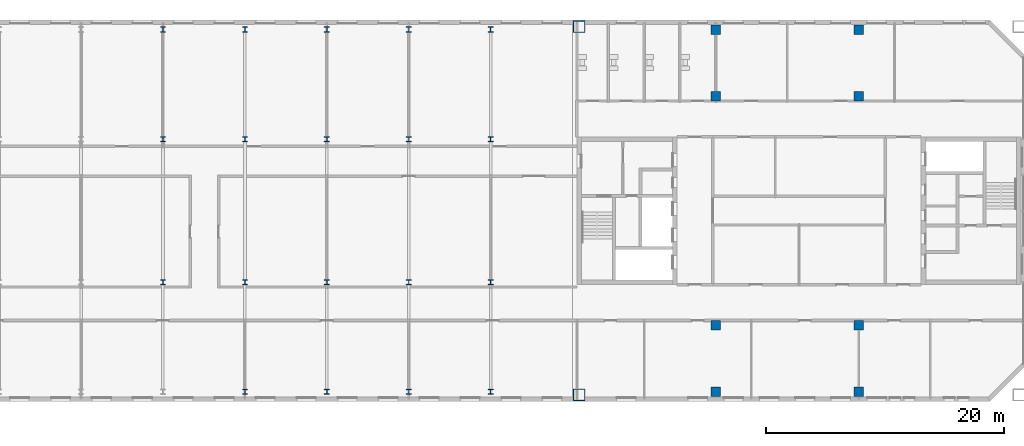
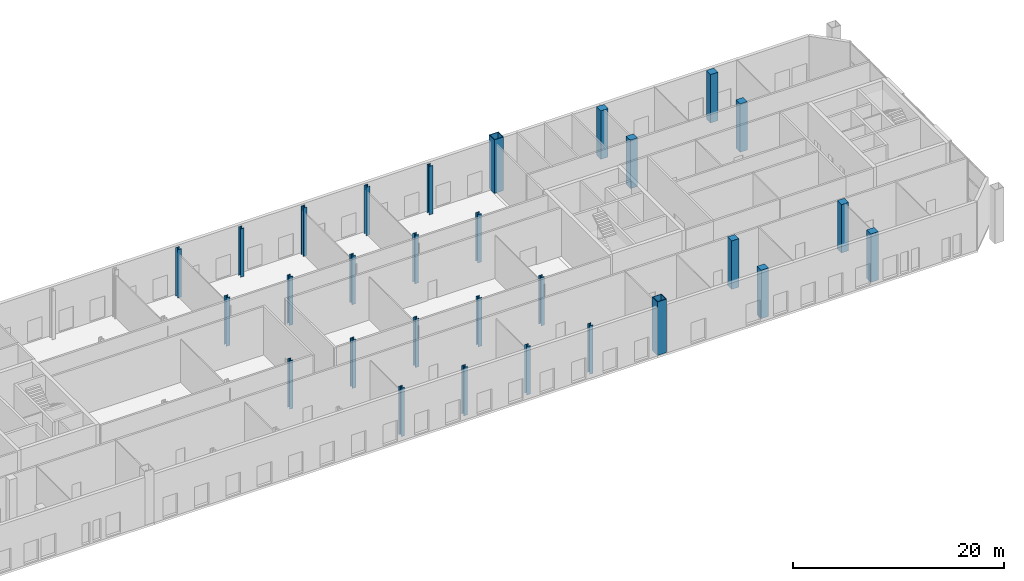
# One storey, part 2 of 20: 29 columns.
"""IFC4 building model written with IfcOpenShell, lengths in metres."""

from ifc_helpers import new_model, si_unit, direction, frame, origin, origin_2d, place, context, subcontext, project, spatial, rectangle, hollow_rectangle, i_section, extrude, material, material_profile, profile_set, type_object, element, save


model = new_model("IFC4")

# Units and contexts
model_context = context("Model", 3, precision=1e-05, world=origin(), true_north=direction((0.0, 1.0)))
body_context = subcontext(model_context, "Body", "Model", "MODEL_VIEW")
ifc_project = project(units=[si_unit("LENGTHUNIT", "METRE"), si_unit("AREAUNIT", "SQUARE_METRE"), si_unit("VOLUMEUNIT", "CUBIC_METRE"), si_unit("PLANEANGLEUNIT", "RADIAN"), si_unit("MASSUNIT", "GRAM", prefix="KILO")], contexts=[model_context])

# Site, building, storey
site_placement = place(None, origin())
site = spatial("IfcSite", under=ifc_project, at=site_placement, CompositionType="ELEMENT")
building_placement = place(site_placement, origin())
building = spatial("IfcBuilding", under=site, at=building_placement, Name="Tuart Gate Housing", CompositionType="ELEMENT")
storey_placement = place(building_placement, frame((0.0, 0.0, 215.199951171875)))
storey = spatial("IfcBuildingStorey", under=building, at=storey_placement, Name="L61", CompositionType="ELEMENT", Elevation=215.199951171875)

# Columns
ifc_material_1 = material(Name="Steel Grade 350", Category="steel")
ifc_material_profile_1 = material_profile(ifc_material_1, i_section(OverallWidth=0.39990234375, OverallDepth=0.429931640625, WebThickness=0.0400390625, FlangeThickness=0.0400390625, at=origin_2d()), Name="400WC361")
ifc_profile_set_1 = profile_set([ifc_material_profile_1], Name="Steel Grade 350")
column_type_1 = type_object("IfcColumnType", Name="Link column 400 WC361", PredefinedType="COLUMN", material=ifc_profile_set_1)
for number, where, z_axis, x_axis, name in (
    (1, (103.5, 54.800048828125, 0.0), (0.0, 0.0, 1.0), (1.0, 0.0, 0.0), "Link column line 1 point 4 L61"),
    (2, (110.375, 54.800048828125, 0.0), (0.0, 0.0, 1.0), (1.0, 0.0, 0.0), "Link column line 1 point 5 L61"),
    (3, (117.25, 54.800048828125, 0.0), (0.0, 0.0, 1.0), (1.0, 0.0, 0.0), "Link column line 1 point 6 L61"),
    (4, (124.125, 54.800048828125, 0.0), (0.0, 0.0, 1.0), (1.0, 0.0, 0.0), "Link column line 1 point 7 L61"),
    (5, (96.625, 64.0, 0.0), (0.0, 0.0, 1.0), (1.0, 0.0, 0.0), "Link column line 2 point 3 L61"),
    (6, (103.5, 64.0, 0.0), (0.0, 0.0, 1.0), (1.0, 0.0, 0.0), "Link column line 2 point 4 L61"),
    (7, (110.375, 64.0, 0.0), (0.0, 0.0, 1.0), (1.0, 0.0, 0.0), "Link column line 2 point 5 L61"),
    (8, (117.25, 64.0, 0.0), (0.0, 0.0, 1.0), (1.0, 0.0, 0.0), "Link column line 2 point 6 L61"),
    (9, (124.125, 64.0, 0.0), (0.0, 0.0, 1.0), (1.0, 0.0, 0.0), "Link column line 2 point 7 L61"),
    (10, (96.625, 76.0, 0.0), (0.0, 0.0, 1.0), (1.0, 0.0, 0.0), "Link column line 3 point 3 L61"),
    (11, (103.5, 76.0, 0.0), (0.0, 0.0, 1.0), (1.0, 0.0, 0.0), "Link column line 3 point 4 L61"),
    (12, (110.375, 76.0, 0.0), (0.0, 0.0, 1.0), (1.0, 0.0, 0.0), "Link column line 3 point 5 L61"),
    (13, (117.25, 76.0, 0.0), (0.0, 0.0, 1.0), (1.0, 0.0, 0.0), "Link column line 3 point 6 L61"),
    (14, (124.125, 76.0, 0.0), (0.0, 0.0, 1.0), (1.0, 0.0, 0.0), "Link column line 3 point 7 L61"),
    (15, (96.625, 85.199951171875, 0.0), (0.0, 0.0, 1.0), (1.0, 0.0, 0.0), "Link column line 4 point 3 L61"),
    (16, (103.5, 85.199951171875, 0.0), (0.0, 0.0, 1.0), (1.0, 0.0, 0.0), "Link column line 4 point 4 L61"),
    (17, (110.375, 85.199951171875, 0.0), (0.0, 0.0, 1.0), (1.0, 0.0, 0.0), "Link column line 4 point 5 L61"),
    (18, (117.25, 85.199951171875, 0.0), (0.0, 0.0, 1.0), (1.0, 0.0, 0.0), "Link column line 4 point 6 L61"),
    (19, (124.125, 85.199951171875, 0.0), (0.0, 0.0, 1.0), (1.0, 0.0, 0.0), "Link column line 4 point 7 L61"),
):
    element("IfcColumn", number, at=place(storey_placement, frame(where, z_axis=z_axis, x_axis=x_axis)), inside=storey, type_object=column_type_1, Name=name, PredefinedType="COLUMN", context=body_context, shape_type="SweptSolid", body=[
        extrude(i_section(OverallWidth=0.39990234375, OverallDepth=0.429931640625, WebThickness=0.0400390625, FlangeThickness=0.0400390625, at=origin_2d()), origin(), (0.0, 0.0, 1.0), 5.60009765625),
    ])
ifc_material_2 = material(Name="Steel Grade 350", Category="steel")
ifc_material_profile_2 = material_profile(ifc_material_2, hollow_rectangle(XDim=1.0, YDim=1.0, WallThickness=0.054931640625, at=origin_2d()), Name="BOX 1000x1000x55")
ifc_profile_set_2 = profile_set([ifc_material_profile_2], Name="Steel Grade 350")
column_type_2 = type_object("IfcColumnType", Name="Mega column BOX 1000x1000x55 (6.2-7.0 m)", PredefinedType="COLUMN", material=ifc_profile_set_2)
for number, where, z_axis, x_axis, name in (
    (20, (131.550048828125, 54.550048828125, 0.0), (0.0, 0.0, 1.0), (1.0, 0.0, 0.0), "Mega column B south-west L61"),
    (21, (131.550048828125, 85.449951171875, 0.0), (0.0, 0.0, 1.0), (1.0, 0.0, 0.0), "Mega column B north-west L61"),
):
    element("IfcColumn", number, at=place(storey_placement, frame(where, z_axis=z_axis, x_axis=x_axis)), inside=storey, type_object=column_type_2, Name=name, PredefinedType="COLUMN", context=body_context, shape_type="SweptSolid", body=[
        extrude(hollow_rectangle(XDim=1.0, YDim=1.0, WallThickness=0.054931640625, at=origin_2d()), origin(), (0.0, 0.0, 1.0), 6.199951171875),
    ])
ifc_material_3 = material(Name="Concrete C50", Category="concrete")
ifc_material_profile_3 = material_profile(ifc_material_3, rectangle(XDim=0.800048828125, YDim=0.800048828125, at=origin_2d()), Name="RC column 800 x 800 (5.6-6.7 m)")
ifc_profile_set_3 = profile_set([ifc_material_profile_3], Name="Concrete C50")
column_type_3 = type_object("IfcColumnType", Name="RC column 800 x 800 (5.6-6.7 m)", PredefinedType="COLUMN", material=ifc_profile_set_3)
for number, where, z_axis, x_axis, name in (
    (22, (143.0, 54.800048828125, 0.0), (0.0, 0.0, 1.0), (1.0, 0.0, 0.0), "RC column 25 L61"),
    (23, (143.0, 60.39990234375, 0.0), (0.0, 0.0, 1.0), (1.0, 0.0, 0.0), "RC column 26 L61"),
    (24, (143.0, 79.60009765625, 0.0), (0.0, 0.0, 1.0), (1.0, 0.0, 0.0), "RC column 27 L61"),
    (25, (143.0, 85.199951171875, 0.0), (0.0, 0.0, 1.0), (1.0, 0.0, 0.0), "RC column 28 L61"),
    (26, (155.0, 54.800048828125, 0.0), (0.0, 0.0, 1.0), (1.0, 0.0, 0.0), "RC column 29 L61"),
    (27, (155.0, 60.39990234375, 0.0), (0.0, 0.0, 1.0), (1.0, 0.0, 0.0), "RC column 30 L61"),
    (28, (155.0, 79.60009765625, 0.0), (0.0, 0.0, 1.0), (1.0, 0.0, 0.0), "RC column 31 L61"),
    (29, (155.0, 85.199951171875, 0.0), (0.0, 0.0, 1.0), (1.0, 0.0, 0.0), "RC column 32 L61"),
):
    element("IfcColumn", number, at=place(storey_placement, frame(where, z_axis=z_axis, x_axis=x_axis)), inside=storey, type_object=column_type_3, Name=name, PredefinedType="COLUMN", context=body_context, shape_type="SweptSolid", body=[
        extrude(rectangle(XDim=0.800048828125, YDim=0.800048828125, at=origin_2d()), origin(), (0.0, 0.0, 1.0), 5.60009765625),
    ])

save(model, "model.ifc")
